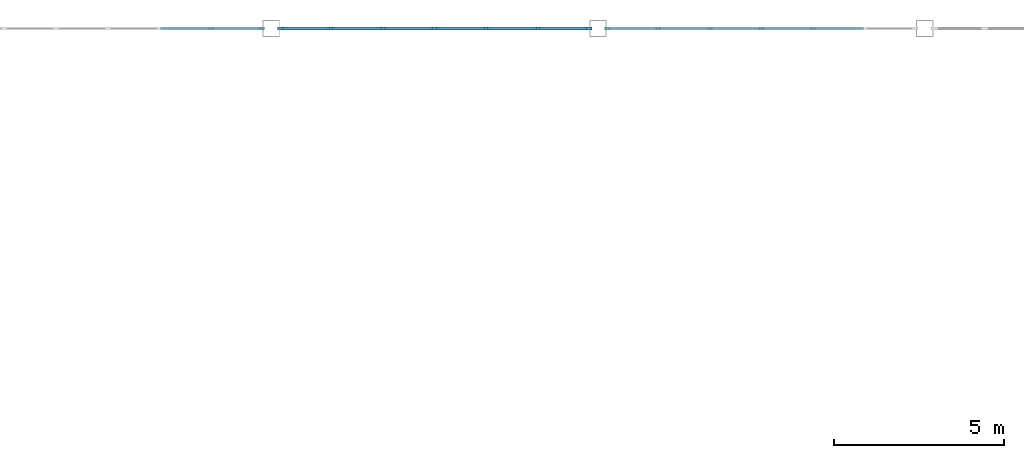
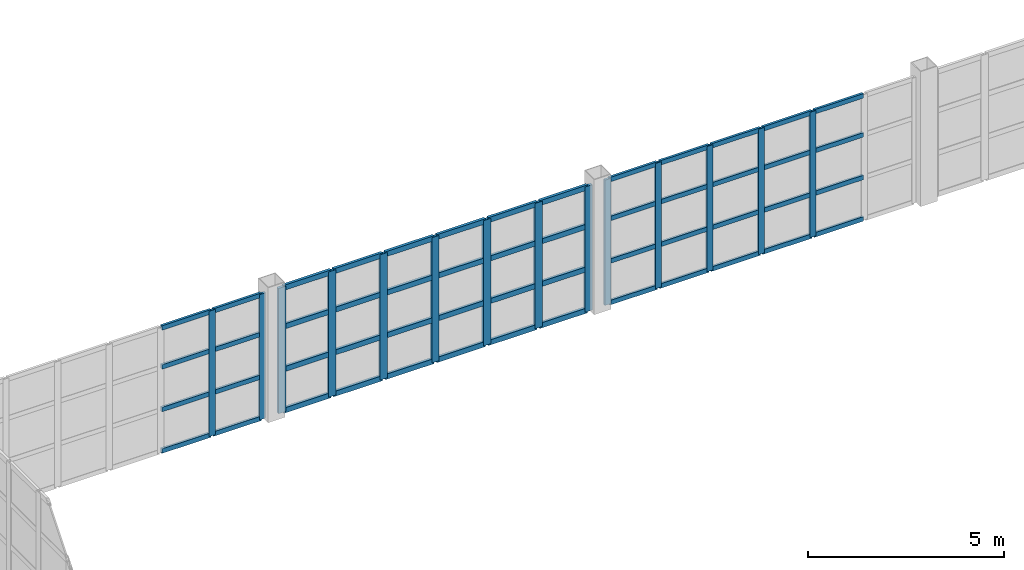
# One storey, part 37 of 82: 66 members, 3 elements without a shape of their own.
"""IFC4 building model written with IfcOpenShell, lengths in metres."""

from ifc_helpers import new_model, si_unit, direction, frame, origin, origin_2d, place, context, subcontext, project, spatial, rectangle, extrude, material, layer, layer_set, material_profile, profile_set, type_object, element, aggregate, save


model = new_model("IFC4")

# Units and contexts
model_context = context("Model", 3, precision=1e-05, world=origin(), true_north=direction((0.0, 1.0)))
body_context = subcontext(model_context, "Body", "Model", "MODEL_VIEW")
ifc_project = project(units=[si_unit("LENGTHUNIT", "METRE"), si_unit("AREAUNIT", "SQUARE_METRE"), si_unit("VOLUMEUNIT", "CUBIC_METRE"), si_unit("PLANEANGLEUNIT", "RADIAN"), si_unit("MASSUNIT", "GRAM", prefix="KILO")], contexts=[model_context])

# Site, building, storey
site_placement = place(None, origin())
site = spatial("IfcSite", under=ifc_project, at=site_placement, CompositionType="ELEMENT")
building_placement = place(site_placement, origin())
building = spatial("IfcBuilding", under=site, at=building_placement, Name="Zarnetskaya Central Station", CompositionType="ELEMENT")
storey_placement = place(building_placement, frame((0.0, 0.0, 10.199951171875)))
storey = spatial("IfcBuildingStorey", under=building, at=storey_placement, Name="L02", CompositionType="ELEMENT", Elevation=10.199951171875)

# Curtain wall, members
ifc_material_1 = material(Name="Low-E insulated glass", Category="glass")
ifc_layer = layer(ifc_material_1, 0.1640625, Name="Low-E insulated glass", Category="glass")
ifc_layer_set = layer_set([ifc_layer], Name="Low-E insulated glass")
curtain_wall_type = type_object("IfcCurtainWallType", Name="CW-SYS-12", PredefinedType="USERDEFINED", material=ifc_layer_set)
curtain_wall_1_placement = place(storey_placement, origin())
curtain_wall_1 = element("IfcCurtainWall", 1, at=curtain_wall_1_placement, inside=storey, type_object=curtain_wall_type, Name="Curtain wall CW-L02-169", ObjectType="CURTAIN WALL", PredefinedType="USERDEFINED")
ifc_material_2 = material(Name="Anodised aluminium", Category="aluminium")
ifc_material_profile_1 = material_profile(ifc_material_2, rectangle(XDim=0.070068359375, YDim=0.179931640625, at=origin_2d()), Name="ALU MULL 70x180")
ifc_profile_set_1 = profile_set([ifc_material_profile_1], Name="Anodised aluminium")
member_type_1 = type_object("IfcMemberType", Name="CW-MULL-180", PredefinedType="MULLION", material=ifc_profile_set_1)
member_1_placement = place(storey_placement, frame((65.433349609375, 124.800048828125, 0.0), z_axis=(0.0, 0.0, 1.0), x_axis=(0.0, 1.0, 0.0)))
member_1 = element("IfcMember", 2, at=member_1_placement, type_object=member_type_1, Name="CW-18 mullion 6", PredefinedType="MULLION", context=body_context, shape_type="SweptSolid", body=[
    extrude(rectangle(XDim=0.070068359375, YDim=0.179931640625, at=origin_2d()), origin(), (0.0, 0.0, 1.0), 3.900146484375),
])
member_2_placement = place(storey_placement, frame((66.9150390625, 124.800048828125, 0.0), z_axis=(0.0, 0.0, 1.0), x_axis=(0.0, 1.0, 0.0)))
member_2 = element("IfcMember", 3, at=member_2_placement, type_object=member_type_1, Name="CW-18 mullion 7", PredefinedType="MULLION", context=body_context, shape_type="SweptSolid", body=[
    extrude(rectangle(XDim=0.070068359375, YDim=0.179931640625, at=origin_2d()), origin(), (0.0, 0.0, 1.0), 3.900146484375),
])

curtain_wall_2_placement = place(storey_placement, origin())
curtain_wall_2 = element("IfcCurtainWall", 4, at=curtain_wall_2_placement, inside=storey, type_object=curtain_wall_type, Name="Curtain wall CW-L02-171", ObjectType="CURTAIN WALL", PredefinedType="USERDEFINED")
member_3_placement = place(storey_placement, frame((77.0849609375, 124.800048828125, 0.0), z_axis=(0.0, 0.0, 1.0), x_axis=(0.0, 1.0, 0.0)))
member_3 = element("IfcMember", 5, at=member_3_placement, type_object=member_type_1, Name="CW-18 mullion 1", PredefinedType="MULLION", context=body_context, shape_type="SweptSolid", body=[
    extrude(rectangle(XDim=0.070068359375, YDim=0.179931640625, at=origin_2d()), origin(), (0.0, 0.0, 1.0), 3.900146484375),
])
member_4_placement = place(storey_placement, frame((78.566650390625, 124.800048828125, 0.0), z_axis=(0.0, 0.0, 1.0), x_axis=(0.0, 1.0, 0.0)))
member_4 = element("IfcMember", 6, at=member_4_placement, type_object=member_type_1, Name="CW-18 mullion 2", PredefinedType="MULLION", context=body_context, shape_type="SweptSolid", body=[
    extrude(rectangle(XDim=0.070068359375, YDim=0.179931640625, at=origin_2d()), origin(), (0.0, 0.0, 1.0), 3.900146484375),
])
member_5_placement = place(storey_placement, frame((80.083251953125, 124.800048828125, 0.0), z_axis=(0.0, 0.0, 1.0), x_axis=(0.0, 1.0, 0.0)))
member_5 = element("IfcMember", 7, at=member_5_placement, type_object=member_type_1, Name="CW-18 mullion 3", PredefinedType="MULLION", context=body_context, shape_type="SweptSolid", body=[
    extrude(rectangle(XDim=0.070068359375, YDim=0.179931640625, at=origin_2d()), origin(), (0.0, 0.0, 1.0), 3.900146484375),
])
member_6_placement = place(storey_placement, frame((81.60009765625, 124.800048828125, 0.0), z_axis=(0.0, 0.0, 1.0), x_axis=(0.0, 1.0, 0.0)))
member_6 = element("IfcMember", 8, at=member_6_placement, type_object=member_type_1, Name="CW-18 mullion 4", PredefinedType="MULLION", context=body_context, shape_type="SweptSolid", body=[
    extrude(rectangle(XDim=0.070068359375, YDim=0.179931640625, at=origin_2d()), origin(), (0.0, 0.0, 1.0), 3.900146484375),
])
member_7_placement = place(storey_placement, frame((83.11669921875, 124.800048828125, 0.0), z_axis=(0.0, 0.0, 1.0), x_axis=(0.0, 1.0, 0.0)))
member_7 = element("IfcMember", 9, at=member_7_placement, type_object=member_type_1, Name="CW-18 mullion 5", PredefinedType="MULLION", context=body_context, shape_type="SweptSolid", body=[
    extrude(rectangle(XDim=0.070068359375, YDim=0.179931640625, at=origin_2d()), origin(), (0.0, 0.0, 1.0), 3.900146484375),
])

curtain_wall_3_placement = place(storey_placement, origin())
curtain_wall_3 = element("IfcCurtainWall", 10, at=curtain_wall_3_placement, inside=storey, type_object=curtain_wall_type, Name="Curtain wall CW-L02-170", ObjectType="CURTAIN WALL", PredefinedType="USERDEFINED")
ifc_material_profile_2 = material_profile(ifc_material_2, rectangle(XDim=0.080078125, YDim=0.219970703125, at=origin_2d()), Name="ALU MULL 80x220")
ifc_profile_set_2 = profile_set([ifc_material_profile_2], Name="Anodised aluminium")
member_type_2 = type_object("IfcMemberType", Name="CW-MULL-220", PredefinedType="MULLION", material=ifc_profile_set_2)
member_8_placement = place(storey_placement, frame((67.489990234375, 124.800048828125, 0.0), z_axis=(0.0, 0.0, 1.0), x_axis=(0.0, 1.0, 0.0)))
member_8 = element("IfcMember", 11, at=member_8_placement, type_object=member_type_2, Name="CW-18 mullion 1", PredefinedType="MULLION", context=body_context, shape_type="SweptSolid", body=[
    extrude(rectangle(XDim=0.080078125, YDim=0.219970703125, at=origin_2d()), origin(), (0.0, 0.0, 1.0), 3.900146484375),
])
member_9_placement = place(storey_placement, frame((68.966552734375, 124.800048828125, 0.0), z_axis=(0.0, 0.0, 1.0), x_axis=(0.0, 1.0, 0.0)))
member_9 = element("IfcMember", 12, at=member_9_placement, type_object=member_type_2, Name="CW-18 mullion 2", PredefinedType="MULLION", context=body_context, shape_type="SweptSolid", body=[
    extrude(rectangle(XDim=0.080078125, YDim=0.219970703125, at=origin_2d()), origin(), (0.0, 0.0, 1.0), 3.900146484375),
])
member_10_placement = place(storey_placement, frame((70.4833984375, 124.800048828125, 0.0), z_axis=(0.0, 0.0, 1.0), x_axis=(0.0, 1.0, 0.0)))
member_10 = element("IfcMember", 13, at=member_10_placement, type_object=member_type_2, Name="CW-18 mullion 3", PredefinedType="MULLION", context=body_context, shape_type="SweptSolid", body=[
    extrude(rectangle(XDim=0.080078125, YDim=0.219970703125, at=origin_2d()), origin(), (0.0, 0.0, 1.0), 3.900146484375),
])
member_11_placement = place(storey_placement, frame((72.0, 124.800048828125, 0.0), z_axis=(0.0, 0.0, 1.0), x_axis=(0.0, 1.0, 0.0)))
member_11 = element("IfcMember", 14, at=member_11_placement, type_object=member_type_2, Name="CW-18 mullion 4", PredefinedType="MULLION", context=body_context, shape_type="SweptSolid", body=[
    extrude(rectangle(XDim=0.080078125, YDim=0.219970703125, at=origin_2d()), origin(), (0.0, 0.0, 1.0), 3.900146484375),
])
member_12_placement = place(storey_placement, frame((73.5166015625, 124.800048828125, 0.0), z_axis=(0.0, 0.0, 1.0), x_axis=(0.0, 1.0, 0.0)))
member_12 = element("IfcMember", 15, at=member_12_placement, type_object=member_type_2, Name="CW-18 mullion 5", PredefinedType="MULLION", context=body_context, shape_type="SweptSolid", body=[
    extrude(rectangle(XDim=0.080078125, YDim=0.219970703125, at=origin_2d()), origin(), (0.0, 0.0, 1.0), 3.900146484375),
])
member_13_placement = place(storey_placement, frame((75.033447265625, 124.800048828125, 0.0), z_axis=(0.0, 0.0, 1.0), x_axis=(0.0, 1.0, 0.0)))
member_13 = element("IfcMember", 16, at=member_13_placement, type_object=member_type_2, Name="CW-18 mullion 6", PredefinedType="MULLION", context=body_context, shape_type="SweptSolid", body=[
    extrude(rectangle(XDim=0.080078125, YDim=0.219970703125, at=origin_2d()), origin(), (0.0, 0.0, 1.0), 3.900146484375),
])
member_14_placement = place(storey_placement, frame((76.510009765625, 124.800048828125, 0.0), z_axis=(0.0, 0.0, 1.0), x_axis=(0.0, 1.0, 0.0)))
member_14 = element("IfcMember", 17, at=member_14_placement, type_object=member_type_2, Name="CW-18 mullion 7", PredefinedType="MULLION", context=body_context, shape_type="SweptSolid", body=[
    extrude(rectangle(XDim=0.080078125, YDim=0.219970703125, at=origin_2d()), origin(), (0.0, 0.0, 1.0), 3.900146484375),
])

# Member
ifc_material_profile_3 = material_profile(ifc_material_2, rectangle(XDim=0.070068359375, YDim=0.139892578125, at=origin_2d()), Name="ALU TRAN 70x140")
ifc_profile_set_3 = profile_set([ifc_material_profile_3], Name="Anodised aluminium")
member_type_3 = type_object("IfcMemberType", Name="CW-TRAN-140", PredefinedType="USERDEFINED", material=ifc_profile_set_3)
member_15_placement = place(storey_placement, frame((63.95166015625, 124.800048828125, 0.03515625), z_axis=(1.0, 0.0, 0.0), x_axis=(0.0, 1.0, 0.0)))
member_15 = element("IfcMember", 18, at=member_15_placement, type_object=member_type_3, Name="CW-18 transom 5.1", ObjectType="TRANSOM", PredefinedType="USERDEFINED", context=body_context, shape_type="SweptSolid", body=[
    extrude(rectangle(XDim=0.070068359375, YDim=0.139892578125, at=origin_2d()), origin(), (0.0, 0.0, 1.0), 1.44677734375),
])

member_16_placement = place(storey_placement, frame((63.95166015625, 124.800048828125, 1.325927734375), z_axis=(1.0, 0.0, 0.0), x_axis=(0.0, 1.0, 0.0)))
member_16 = element("IfcMember", 19, at=member_16_placement, type_object=member_type_3, Name="CW-18 transom 5.2", ObjectType="TRANSOM", PredefinedType="USERDEFINED", context=body_context, shape_type="SweptSolid", body=[
    extrude(rectangle(XDim=0.070068359375, YDim=0.139892578125, at=origin_2d()), origin(), (0.0, 0.0, 1.0), 1.44677734375),
])

member_17_placement = place(storey_placement, frame((63.95166015625, 124.800048828125, 2.652099609375), z_axis=(1.0, 0.0, 0.0), x_axis=(0.0, 1.0, 0.0)))
member_17 = element("IfcMember", 20, at=member_17_placement, type_object=member_type_3, Name="CW-18 transom 5.3", ObjectType="TRANSOM", PredefinedType="USERDEFINED", context=body_context, shape_type="SweptSolid", body=[
    extrude(rectangle(XDim=0.070068359375, YDim=0.139892578125, at=origin_2d()), origin(), (0.0, 0.0, 1.0), 1.44677734375),
])

member_18_placement = place(storey_placement, frame((63.95166015625, 124.800048828125, 3.864990234375), z_axis=(1.0, 0.0, 0.0), x_axis=(0.0, 1.0, 0.0)))
member_18 = element("IfcMember", 21, at=member_18_placement, type_object=member_type_3, Name="CW-18 transom 5.4", ObjectType="TRANSOM", PredefinedType="USERDEFINED", context=body_context, shape_type="SweptSolid", body=[
    extrude(rectangle(XDim=0.070068359375, YDim=0.139892578125, at=origin_2d()), origin(), (0.0, 0.0, 1.0), 1.44677734375),
])

member_19_placement = place(storey_placement, frame((65.46826171875, 124.800048828125, 0.03515625), z_axis=(1.0, 0.0, 0.0), x_axis=(0.0, 1.0, 0.0)))
member_19 = element("IfcMember", 22, at=member_19_placement, type_object=member_type_3, Name="CW-18 transom 6.1", ObjectType="TRANSOM", PredefinedType="USERDEFINED", context=body_context, shape_type="SweptSolid", body=[
    extrude(rectangle(XDim=0.070068359375, YDim=0.139892578125, at=origin_2d()), origin(), (0.0, 0.0, 1.0), 1.41162109375),
])

member_20_placement = place(storey_placement, frame((65.46826171875, 124.800048828125, 1.325927734375), z_axis=(1.0, 0.0, 0.0), x_axis=(0.0, 1.0, 0.0)))
member_20 = element("IfcMember", 23, at=member_20_placement, type_object=member_type_3, Name="CW-18 transom 6.2", ObjectType="TRANSOM", PredefinedType="USERDEFINED", context=body_context, shape_type="SweptSolid", body=[
    extrude(rectangle(XDim=0.070068359375, YDim=0.139892578125, at=origin_2d()), origin(), (0.0, 0.0, 1.0), 1.41162109375),
])

member_21_placement = place(storey_placement, frame((65.46826171875, 124.800048828125, 2.652099609375), z_axis=(1.0, 0.0, 0.0), x_axis=(0.0, 1.0, 0.0)))
member_21 = element("IfcMember", 24, at=member_21_placement, type_object=member_type_3, Name="CW-18 transom 6.3", ObjectType="TRANSOM", PredefinedType="USERDEFINED", context=body_context, shape_type="SweptSolid", body=[
    extrude(rectangle(XDim=0.070068359375, YDim=0.139892578125, at=origin_2d()), origin(), (0.0, 0.0, 1.0), 1.41162109375),
])

member_22_placement = place(storey_placement, frame((65.46826171875, 124.800048828125, 3.864990234375), z_axis=(1.0, 0.0, 0.0), x_axis=(0.0, 1.0, 0.0)))
member_22 = element("IfcMember", 25, at=member_22_placement, type_object=member_type_3, Name="CW-18 transom 6.4", ObjectType="TRANSOM", PredefinedType="USERDEFINED", context=body_context, shape_type="SweptSolid", body=[
    extrude(rectangle(XDim=0.070068359375, YDim=0.139892578125, at=origin_2d()), origin(), (0.0, 0.0, 1.0), 1.41162109375),
])

aggregate(curtain_wall_1, [member_1, member_2, member_15, member_16, member_17, member_18, member_19, member_20, member_21, member_22])

member_23_placement = place(storey_placement, frame((77.1201171875, 124.800048828125, 0.03515625), z_axis=(1.0, 0.0, 0.0), x_axis=(0.0, 1.0, 0.0)))
member_23 = element("IfcMember", 26, at=member_23_placement, type_object=member_type_3, Name="CW-18 transom 1.1", ObjectType="TRANSOM", PredefinedType="USERDEFINED", context=body_context, shape_type="SweptSolid", body=[
    extrude(rectangle(XDim=0.070068359375, YDim=0.139892578125, at=origin_2d()), origin(), (0.0, 0.0, 1.0), 1.41162109375),
])

member_24_placement = place(storey_placement, frame((77.1201171875, 124.800048828125, 1.325927734375), z_axis=(1.0, 0.0, 0.0), x_axis=(0.0, 1.0, 0.0)))
member_24 = element("IfcMember", 27, at=member_24_placement, type_object=member_type_3, Name="CW-18 transom 1.2", ObjectType="TRANSOM", PredefinedType="USERDEFINED", context=body_context, shape_type="SweptSolid", body=[
    extrude(rectangle(XDim=0.070068359375, YDim=0.139892578125, at=origin_2d()), origin(), (0.0, 0.0, 1.0), 1.41162109375),
])

member_25_placement = place(storey_placement, frame((77.1201171875, 124.800048828125, 2.652099609375), z_axis=(1.0, 0.0, 0.0), x_axis=(0.0, 1.0, 0.0)))
member_25 = element("IfcMember", 28, at=member_25_placement, type_object=member_type_3, Name="CW-18 transom 1.3", ObjectType="TRANSOM", PredefinedType="USERDEFINED", context=body_context, shape_type="SweptSolid", body=[
    extrude(rectangle(XDim=0.070068359375, YDim=0.139892578125, at=origin_2d()), origin(), (0.0, 0.0, 1.0), 1.41162109375),
])

member_26_placement = place(storey_placement, frame((77.1201171875, 124.800048828125, 3.864990234375), z_axis=(1.0, 0.0, 0.0), x_axis=(0.0, 1.0, 0.0)))
member_26 = element("IfcMember", 29, at=member_26_placement, type_object=member_type_3, Name="CW-18 transom 1.4", ObjectType="TRANSOM", PredefinedType="USERDEFINED", context=body_context, shape_type="SweptSolid", body=[
    extrude(rectangle(XDim=0.070068359375, YDim=0.139892578125, at=origin_2d()), origin(), (0.0, 0.0, 1.0), 1.41162109375),
])

member_27_placement = place(storey_placement, frame((78.6015625, 124.800048828125, 0.03515625), z_axis=(1.0, 0.0, 0.0), x_axis=(0.0, 1.0, 0.0)))
member_27 = element("IfcMember", 30, at=member_27_placement, type_object=member_type_3, Name="CW-18 transom 2.1", ObjectType="TRANSOM", PredefinedType="USERDEFINED", context=body_context, shape_type="SweptSolid", body=[
    extrude(rectangle(XDim=0.070068359375, YDim=0.139892578125, at=origin_2d()), origin(), (0.0, 0.0, 1.0), 1.44677734375),
])

member_28_placement = place(storey_placement, frame((78.6015625, 124.800048828125, 1.325927734375), z_axis=(1.0, 0.0, 0.0), x_axis=(0.0, 1.0, 0.0)))
member_28 = element("IfcMember", 31, at=member_28_placement, type_object=member_type_3, Name="CW-18 transom 2.2", ObjectType="TRANSOM", PredefinedType="USERDEFINED", context=body_context, shape_type="SweptSolid", body=[
    extrude(rectangle(XDim=0.070068359375, YDim=0.139892578125, at=origin_2d()), origin(), (0.0, 0.0, 1.0), 1.44677734375),
])

member_29_placement = place(storey_placement, frame((78.6015625, 124.800048828125, 2.652099609375), z_axis=(1.0, 0.0, 0.0), x_axis=(0.0, 1.0, 0.0)))
member_29 = element("IfcMember", 32, at=member_29_placement, type_object=member_type_3, Name="CW-18 transom 2.3", ObjectType="TRANSOM", PredefinedType="USERDEFINED", context=body_context, shape_type="SweptSolid", body=[
    extrude(rectangle(XDim=0.070068359375, YDim=0.139892578125, at=origin_2d()), origin(), (0.0, 0.0, 1.0), 1.44677734375),
])

member_30_placement = place(storey_placement, frame((78.6015625, 124.800048828125, 3.864990234375), z_axis=(1.0, 0.0, 0.0), x_axis=(0.0, 1.0, 0.0)))
member_30 = element("IfcMember", 33, at=member_30_placement, type_object=member_type_3, Name="CW-18 transom 2.4", ObjectType="TRANSOM", PredefinedType="USERDEFINED", context=body_context, shape_type="SweptSolid", body=[
    extrude(rectangle(XDim=0.070068359375, YDim=0.139892578125, at=origin_2d()), origin(), (0.0, 0.0, 1.0), 1.44677734375),
])

member_31_placement = place(storey_placement, frame((80.118408203125, 124.800048828125, 0.03515625), z_axis=(1.0, 0.0, 0.0), x_axis=(0.0, 1.0, 0.0)))
member_31 = element("IfcMember", 34, at=member_31_placement, type_object=member_type_3, Name="CW-18 transom 3.1", ObjectType="TRANSOM", PredefinedType="USERDEFINED", context=body_context, shape_type="SweptSolid", body=[
    extrude(rectangle(XDim=0.070068359375, YDim=0.139892578125, at=origin_2d()), origin(), (0.0, 0.0, 1.0), 1.446533203125),
])

member_32_placement = place(storey_placement, frame((80.118408203125, 124.800048828125, 1.325927734375), z_axis=(1.0, 0.0, 0.0), x_axis=(0.0, 1.0, 0.0)))
member_32 = element("IfcMember", 35, at=member_32_placement, type_object=member_type_3, Name="CW-18 transom 3.2", ObjectType="TRANSOM", PredefinedType="USERDEFINED", context=body_context, shape_type="SweptSolid", body=[
    extrude(rectangle(XDim=0.070068359375, YDim=0.139892578125, at=origin_2d()), origin(), (0.0, 0.0, 1.0), 1.446533203125),
])

member_33_placement = place(storey_placement, frame((80.118408203125, 124.800048828125, 2.652099609375), z_axis=(1.0, 0.0, 0.0), x_axis=(0.0, 1.0, 0.0)))
member_33 = element("IfcMember", 36, at=member_33_placement, type_object=member_type_3, Name="CW-18 transom 3.3", ObjectType="TRANSOM", PredefinedType="USERDEFINED", context=body_context, shape_type="SweptSolid", body=[
    extrude(rectangle(XDim=0.070068359375, YDim=0.139892578125, at=origin_2d()), origin(), (0.0, 0.0, 1.0), 1.446533203125),
])

member_34_placement = place(storey_placement, frame((80.118408203125, 124.800048828125, 3.864990234375), z_axis=(1.0, 0.0, 0.0), x_axis=(0.0, 1.0, 0.0)))
member_34 = element("IfcMember", 37, at=member_34_placement, type_object=member_type_3, Name="CW-18 transom 3.4", ObjectType="TRANSOM", PredefinedType="USERDEFINED", context=body_context, shape_type="SweptSolid", body=[
    extrude(rectangle(XDim=0.070068359375, YDim=0.139892578125, at=origin_2d()), origin(), (0.0, 0.0, 1.0), 1.446533203125),
])

member_35_placement = place(storey_placement, frame((81.635009765625, 124.800048828125, 0.03515625), z_axis=(1.0, 0.0, 0.0), x_axis=(0.0, 1.0, 0.0)))
member_35 = element("IfcMember", 38, at=member_35_placement, type_object=member_type_3, Name="CW-18 transom 4.1", ObjectType="TRANSOM", PredefinedType="USERDEFINED", context=body_context, shape_type="SweptSolid", body=[
    extrude(rectangle(XDim=0.070068359375, YDim=0.139892578125, at=origin_2d()), origin(), (0.0, 0.0, 1.0), 1.44677734375),
])

member_36_placement = place(storey_placement, frame((81.635009765625, 124.800048828125, 1.325927734375), z_axis=(1.0, 0.0, 0.0), x_axis=(0.0, 1.0, 0.0)))
member_36 = element("IfcMember", 39, at=member_36_placement, type_object=member_type_3, Name="CW-18 transom 4.2", ObjectType="TRANSOM", PredefinedType="USERDEFINED", context=body_context, shape_type="SweptSolid", body=[
    extrude(rectangle(XDim=0.070068359375, YDim=0.139892578125, at=origin_2d()), origin(), (0.0, 0.0, 1.0), 1.44677734375),
])

member_37_placement = place(storey_placement, frame((81.635009765625, 124.800048828125, 2.652099609375), z_axis=(1.0, 0.0, 0.0), x_axis=(0.0, 1.0, 0.0)))
member_37 = element("IfcMember", 40, at=member_37_placement, type_object=member_type_3, Name="CW-18 transom 4.3", ObjectType="TRANSOM", PredefinedType="USERDEFINED", context=body_context, shape_type="SweptSolid", body=[
    extrude(rectangle(XDim=0.070068359375, YDim=0.139892578125, at=origin_2d()), origin(), (0.0, 0.0, 1.0), 1.44677734375),
])

member_38_placement = place(storey_placement, frame((81.635009765625, 124.800048828125, 3.864990234375), z_axis=(1.0, 0.0, 0.0), x_axis=(0.0, 1.0, 0.0)))
member_38 = element("IfcMember", 41, at=member_38_placement, type_object=member_type_3, Name="CW-18 transom 4.4", ObjectType="TRANSOM", PredefinedType="USERDEFINED", context=body_context, shape_type="SweptSolid", body=[
    extrude(rectangle(XDim=0.070068359375, YDim=0.139892578125, at=origin_2d()), origin(), (0.0, 0.0, 1.0), 1.44677734375),
])

member_39_placement = place(storey_placement, frame((83.151611328125, 124.800048828125, 0.03515625), z_axis=(1.0, 0.0, 0.0), x_axis=(0.0, 1.0, 0.0)))
member_39 = element("IfcMember", 42, at=member_39_placement, type_object=member_type_3, Name="CW-18 transom 5.1", ObjectType="TRANSOM", PredefinedType="USERDEFINED", context=body_context, shape_type="SweptSolid", body=[
    extrude(rectangle(XDim=0.070068359375, YDim=0.139892578125, at=origin_2d()), origin(), (0.0, 0.0, 1.0), 1.44677734375),
])

member_40_placement = place(storey_placement, frame((83.151611328125, 124.800048828125, 1.325927734375), z_axis=(1.0, 0.0, 0.0), x_axis=(0.0, 1.0, 0.0)))
member_40 = element("IfcMember", 43, at=member_40_placement, type_object=member_type_3, Name="CW-18 transom 5.2", ObjectType="TRANSOM", PredefinedType="USERDEFINED", context=body_context, shape_type="SweptSolid", body=[
    extrude(rectangle(XDim=0.070068359375, YDim=0.139892578125, at=origin_2d()), origin(), (0.0, 0.0, 1.0), 1.44677734375),
])

member_41_placement = place(storey_placement, frame((83.151611328125, 124.800048828125, 2.652099609375), z_axis=(1.0, 0.0, 0.0), x_axis=(0.0, 1.0, 0.0)))
member_41 = element("IfcMember", 44, at=member_41_placement, type_object=member_type_3, Name="CW-18 transom 5.3", ObjectType="TRANSOM", PredefinedType="USERDEFINED", context=body_context, shape_type="SweptSolid", body=[
    extrude(rectangle(XDim=0.070068359375, YDim=0.139892578125, at=origin_2d()), origin(), (0.0, 0.0, 1.0), 1.44677734375),
])

member_42_placement = place(storey_placement, frame((83.151611328125, 124.800048828125, 3.864990234375), z_axis=(1.0, 0.0, 0.0), x_axis=(0.0, 1.0, 0.0)))
member_42 = element("IfcMember", 45, at=member_42_placement, type_object=member_type_3, Name="CW-18 transom 5.4", ObjectType="TRANSOM", PredefinedType="USERDEFINED", context=body_context, shape_type="SweptSolid", body=[
    extrude(rectangle(XDim=0.070068359375, YDim=0.139892578125, at=origin_2d()), origin(), (0.0, 0.0, 1.0), 1.44677734375),
])

aggregate(curtain_wall_2, [member_3, member_4, member_5, member_6, member_7, member_23, member_24, member_25, member_26, member_27, member_28, member_29, member_30, member_31, member_32, member_33, member_34, member_35, member_36, member_37, member_38, member_39, member_40, member_41, member_42])

ifc_material_profile_4 = material_profile(ifc_material_2, rectangle(XDim=0.080078125, YDim=0.159912109375, at=origin_2d()), Name="ALU TRAN 80x160")
ifc_profile_set_4 = profile_set([ifc_material_profile_4], Name="Anodised aluminium")
member_type_4 = type_object("IfcMemberType", Name="CW-TRAN-160", PredefinedType="USERDEFINED", material=ifc_profile_set_4)
member_43_placement = place(storey_placement, frame((67.530029296875, 124.800048828125, 0.0400390625), z_axis=(1.0, 0.0, 0.0), x_axis=(0.0, 1.0, 0.0)))
member_43 = element("IfcMember", 46, at=member_43_placement, type_object=member_type_4, Name="CW-18 transom 1.1", ObjectType="TRANSOM", PredefinedType="USERDEFINED", context=body_context, shape_type="SweptSolid", body=[
    extrude(rectangle(XDim=0.080078125, YDim=0.159912109375, at=origin_2d()), origin(), (0.0, 0.0, 1.0), 1.396728515625),
])

member_44_placement = place(storey_placement, frame((67.530029296875, 124.800048828125, 1.325927734375), z_axis=(1.0, 0.0, 0.0), x_axis=(0.0, 1.0, 0.0)))
member_44 = element("IfcMember", 47, at=member_44_placement, type_object=member_type_4, Name="CW-18 transom 1.2", ObjectType="TRANSOM", PredefinedType="USERDEFINED", context=body_context, shape_type="SweptSolid", body=[
    extrude(rectangle(XDim=0.080078125, YDim=0.159912109375, at=origin_2d()), origin(), (0.0, 0.0, 1.0), 1.396728515625),
])

member_45_placement = place(storey_placement, frame((67.530029296875, 124.800048828125, 2.652099609375), z_axis=(1.0, 0.0, 0.0), x_axis=(0.0, 1.0, 0.0)))
member_45 = element("IfcMember", 48, at=member_45_placement, type_object=member_type_4, Name="CW-18 transom 1.3", ObjectType="TRANSOM", PredefinedType="USERDEFINED", context=body_context, shape_type="SweptSolid", body=[
    extrude(rectangle(XDim=0.080078125, YDim=0.159912109375, at=origin_2d()), origin(), (0.0, 0.0, 1.0), 1.396728515625),
])

member_46_placement = place(storey_placement, frame((67.530029296875, 124.800048828125, 3.860107421875), z_axis=(1.0, 0.0, 0.0), x_axis=(0.0, 1.0, 0.0)))
member_46 = element("IfcMember", 49, at=member_46_placement, type_object=member_type_4, Name="CW-18 transom 1.4", ObjectType="TRANSOM", PredefinedType="USERDEFINED", context=body_context, shape_type="SweptSolid", body=[
    extrude(rectangle(XDim=0.080078125, YDim=0.159912109375, at=origin_2d()), origin(), (0.0, 0.0, 1.0), 1.396728515625),
])

member_47_placement = place(storey_placement, frame((69.006591796875, 124.800048828125, 0.0400390625), z_axis=(1.0, 0.0, 0.0), x_axis=(0.0, 1.0, 0.0)))
member_47 = element("IfcMember", 50, at=member_47_placement, type_object=member_type_4, Name="CW-18 transom 2.1", ObjectType="TRANSOM", PredefinedType="USERDEFINED", context=body_context, shape_type="SweptSolid", body=[
    extrude(rectangle(XDim=0.080078125, YDim=0.159912109375, at=origin_2d()), origin(), (0.0, 0.0, 1.0), 1.436767578125),
])

member_48_placement = place(storey_placement, frame((69.006591796875, 124.800048828125, 1.325927734375), z_axis=(1.0, 0.0, 0.0), x_axis=(0.0, 1.0, 0.0)))
member_48 = element("IfcMember", 51, at=member_48_placement, type_object=member_type_4, Name="CW-18 transom 2.2", ObjectType="TRANSOM", PredefinedType="USERDEFINED", context=body_context, shape_type="SweptSolid", body=[
    extrude(rectangle(XDim=0.080078125, YDim=0.159912109375, at=origin_2d()), origin(), (0.0, 0.0, 1.0), 1.436767578125),
])

member_49_placement = place(storey_placement, frame((69.006591796875, 124.800048828125, 2.652099609375), z_axis=(1.0, 0.0, 0.0), x_axis=(0.0, 1.0, 0.0)))
member_49 = element("IfcMember", 52, at=member_49_placement, type_object=member_type_4, Name="CW-18 transom 2.3", ObjectType="TRANSOM", PredefinedType="USERDEFINED", context=body_context, shape_type="SweptSolid", body=[
    extrude(rectangle(XDim=0.080078125, YDim=0.159912109375, at=origin_2d()), origin(), (0.0, 0.0, 1.0), 1.436767578125),
])

member_50_placement = place(storey_placement, frame((69.006591796875, 124.800048828125, 3.860107421875), z_axis=(1.0, 0.0, 0.0), x_axis=(0.0, 1.0, 0.0)))
member_50 = element("IfcMember", 53, at=member_50_placement, type_object=member_type_4, Name="CW-18 transom 2.4", ObjectType="TRANSOM", PredefinedType="USERDEFINED", context=body_context, shape_type="SweptSolid", body=[
    extrude(rectangle(XDim=0.080078125, YDim=0.159912109375, at=origin_2d()), origin(), (0.0, 0.0, 1.0), 1.436767578125),
])

member_51_placement = place(storey_placement, frame((70.5234375, 124.800048828125, 0.0400390625), z_axis=(1.0, 0.0, 0.0), x_axis=(0.0, 1.0, 0.0)))
member_51 = element("IfcMember", 54, at=member_51_placement, type_object=member_type_4, Name="CW-18 transom 3.1", ObjectType="TRANSOM", PredefinedType="USERDEFINED", context=body_context, shape_type="SweptSolid", body=[
    extrude(rectangle(XDim=0.080078125, YDim=0.159912109375, at=origin_2d()), origin(), (0.0, 0.0, 1.0), 1.4365234375),
])

member_52_placement = place(storey_placement, frame((70.5234375, 124.800048828125, 1.325927734375), z_axis=(1.0, 0.0, 0.0), x_axis=(0.0, 1.0, 0.0)))
member_52 = element("IfcMember", 55, at=member_52_placement, type_object=member_type_4, Name="CW-18 transom 3.2", ObjectType="TRANSOM", PredefinedType="USERDEFINED", context=body_context, shape_type="SweptSolid", body=[
    extrude(rectangle(XDim=0.080078125, YDim=0.159912109375, at=origin_2d()), origin(), (0.0, 0.0, 1.0), 1.4365234375),
])

member_53_placement = place(storey_placement, frame((70.5234375, 124.800048828125, 2.652099609375), z_axis=(1.0, 0.0, 0.0), x_axis=(0.0, 1.0, 0.0)))
member_53 = element("IfcMember", 56, at=member_53_placement, type_object=member_type_4, Name="CW-18 transom 3.3", ObjectType="TRANSOM", PredefinedType="USERDEFINED", context=body_context, shape_type="SweptSolid", body=[
    extrude(rectangle(XDim=0.080078125, YDim=0.159912109375, at=origin_2d()), origin(), (0.0, 0.0, 1.0), 1.4365234375),
])

member_54_placement = place(storey_placement, frame((70.5234375, 124.800048828125, 3.860107421875), z_axis=(1.0, 0.0, 0.0), x_axis=(0.0, 1.0, 0.0)))
member_54 = element("IfcMember", 57, at=member_54_placement, type_object=member_type_4, Name="CW-18 transom 3.4", ObjectType="TRANSOM", PredefinedType="USERDEFINED", context=body_context, shape_type="SweptSolid", body=[
    extrude(rectangle(XDim=0.080078125, YDim=0.159912109375, at=origin_2d()), origin(), (0.0, 0.0, 1.0), 1.4365234375),
])

member_55_placement = place(storey_placement, frame((72.0400390625, 124.800048828125, 0.0400390625), z_axis=(1.0, 0.0, 0.0), x_axis=(0.0, 1.0, 0.0)))
member_55 = element("IfcMember", 58, at=member_55_placement, type_object=member_type_4, Name="CW-18 transom 4.1", ObjectType="TRANSOM", PredefinedType="USERDEFINED", context=body_context, shape_type="SweptSolid", body=[
    extrude(rectangle(XDim=0.080078125, YDim=0.159912109375, at=origin_2d()), origin(), (0.0, 0.0, 1.0), 1.4365234375),
])

member_56_placement = place(storey_placement, frame((72.0400390625, 124.800048828125, 1.325927734375), z_axis=(1.0, 0.0, 0.0), x_axis=(0.0, 1.0, 0.0)))
member_56 = element("IfcMember", 59, at=member_56_placement, type_object=member_type_4, Name="CW-18 transom 4.2", ObjectType="TRANSOM", PredefinedType="USERDEFINED", context=body_context, shape_type="SweptSolid", body=[
    extrude(rectangle(XDim=0.080078125, YDim=0.159912109375, at=origin_2d()), origin(), (0.0, 0.0, 1.0), 1.4365234375),
])

member_57_placement = place(storey_placement, frame((72.0400390625, 124.800048828125, 2.652099609375), z_axis=(1.0, 0.0, 0.0), x_axis=(0.0, 1.0, 0.0)))
member_57 = element("IfcMember", 60, at=member_57_placement, type_object=member_type_4, Name="CW-18 transom 4.3", ObjectType="TRANSOM", PredefinedType="USERDEFINED", context=body_context, shape_type="SweptSolid", body=[
    extrude(rectangle(XDim=0.080078125, YDim=0.159912109375, at=origin_2d()), origin(), (0.0, 0.0, 1.0), 1.4365234375),
])

member_58_placement = place(storey_placement, frame((72.0400390625, 124.800048828125, 3.860107421875), z_axis=(1.0, 0.0, 0.0), x_axis=(0.0, 1.0, 0.0)))
member_58 = element("IfcMember", 61, at=member_58_placement, type_object=member_type_4, Name="CW-18 transom 4.4", ObjectType="TRANSOM", PredefinedType="USERDEFINED", context=body_context, shape_type="SweptSolid", body=[
    extrude(rectangle(XDim=0.080078125, YDim=0.159912109375, at=origin_2d()), origin(), (0.0, 0.0, 1.0), 1.4365234375),
])

member_59_placement = place(storey_placement, frame((73.556640625, 124.800048828125, 0.0400390625), z_axis=(1.0, 0.0, 0.0), x_axis=(0.0, 1.0, 0.0)))
member_59 = element("IfcMember", 62, at=member_59_placement, type_object=member_type_4, Name="CW-18 transom 5.1", ObjectType="TRANSOM", PredefinedType="USERDEFINED", context=body_context, shape_type="SweptSolid", body=[
    extrude(rectangle(XDim=0.080078125, YDim=0.159912109375, at=origin_2d()), origin(), (0.0, 0.0, 1.0), 1.436767578125),
])

member_60_placement = place(storey_placement, frame((73.556640625, 124.800048828125, 1.325927734375), z_axis=(1.0, 0.0, 0.0), x_axis=(0.0, 1.0, 0.0)))
member_60 = element("IfcMember", 63, at=member_60_placement, type_object=member_type_4, Name="CW-18 transom 5.2", ObjectType="TRANSOM", PredefinedType="USERDEFINED", context=body_context, shape_type="SweptSolid", body=[
    extrude(rectangle(XDim=0.080078125, YDim=0.159912109375, at=origin_2d()), origin(), (0.0, 0.0, 1.0), 1.436767578125),
])

member_61_placement = place(storey_placement, frame((73.556640625, 124.800048828125, 2.652099609375), z_axis=(1.0, 0.0, 0.0), x_axis=(0.0, 1.0, 0.0)))
member_61 = element("IfcMember", 64, at=member_61_placement, type_object=member_type_4, Name="CW-18 transom 5.3", ObjectType="TRANSOM", PredefinedType="USERDEFINED", context=body_context, shape_type="SweptSolid", body=[
    extrude(rectangle(XDim=0.080078125, YDim=0.159912109375, at=origin_2d()), origin(), (0.0, 0.0, 1.0), 1.436767578125),
])

member_62_placement = place(storey_placement, frame((73.556640625, 124.800048828125, 3.860107421875), z_axis=(1.0, 0.0, 0.0), x_axis=(0.0, 1.0, 0.0)))
member_62 = element("IfcMember", 65, at=member_62_placement, type_object=member_type_4, Name="CW-18 transom 5.4", ObjectType="TRANSOM", PredefinedType="USERDEFINED", context=body_context, shape_type="SweptSolid", body=[
    extrude(rectangle(XDim=0.080078125, YDim=0.159912109375, at=origin_2d()), origin(), (0.0, 0.0, 1.0), 1.436767578125),
])

member_63_placement = place(storey_placement, frame((75.0732421875, 124.800048828125, 0.0400390625), z_axis=(1.0, 0.0, 0.0), x_axis=(0.0, 1.0, 0.0)))
member_63 = element("IfcMember", 66, at=member_63_placement, type_object=member_type_4, Name="CW-18 transom 6.1", ObjectType="TRANSOM", PredefinedType="USERDEFINED", context=body_context, shape_type="SweptSolid", body=[
    extrude(rectangle(XDim=0.080078125, YDim=0.159912109375, at=origin_2d()), origin(), (0.0, 0.0, 1.0), 1.396728515625),
])

member_64_placement = place(storey_placement, frame((75.0732421875, 124.800048828125, 1.325927734375), z_axis=(1.0, 0.0, 0.0), x_axis=(0.0, 1.0, 0.0)))
member_64 = element("IfcMember", 67, at=member_64_placement, type_object=member_type_4, Name="CW-18 transom 6.2", ObjectType="TRANSOM", PredefinedType="USERDEFINED", context=body_context, shape_type="SweptSolid", body=[
    extrude(rectangle(XDim=0.080078125, YDim=0.159912109375, at=origin_2d()), origin(), (0.0, 0.0, 1.0), 1.396728515625),
])

member_65_placement = place(storey_placement, frame((75.0732421875, 124.800048828125, 2.652099609375), z_axis=(1.0, 0.0, 0.0), x_axis=(0.0, 1.0, 0.0)))
member_65 = element("IfcMember", 68, at=member_65_placement, type_object=member_type_4, Name="CW-18 transom 6.3", ObjectType="TRANSOM", PredefinedType="USERDEFINED", context=body_context, shape_type="SweptSolid", body=[
    extrude(rectangle(XDim=0.080078125, YDim=0.159912109375, at=origin_2d()), origin(), (0.0, 0.0, 1.0), 1.396728515625),
])

member_66_placement = place(storey_placement, frame((75.0732421875, 124.800048828125, 3.860107421875), z_axis=(1.0, 0.0, 0.0), x_axis=(0.0, 1.0, 0.0)))
member_66 = element("IfcMember", 69, at=member_66_placement, type_object=member_type_4, Name="CW-18 transom 6.4", ObjectType="TRANSOM", PredefinedType="USERDEFINED", context=body_context, shape_type="SweptSolid", body=[
    extrude(rectangle(XDim=0.080078125, YDim=0.159912109375, at=origin_2d()), origin(), (0.0, 0.0, 1.0), 1.396728515625),
])

aggregate(curtain_wall_3, [member_8, member_9, member_10, member_11, member_12, member_13, member_14, member_43, member_44, member_45, member_46, member_47, member_48, member_49, member_50, member_51, member_52, member_53, member_54, member_55, member_56, member_57, member_58, member_59, member_60, member_61, member_62, member_63, member_64, member_65, member_66])

save(model, "model.ifc")
